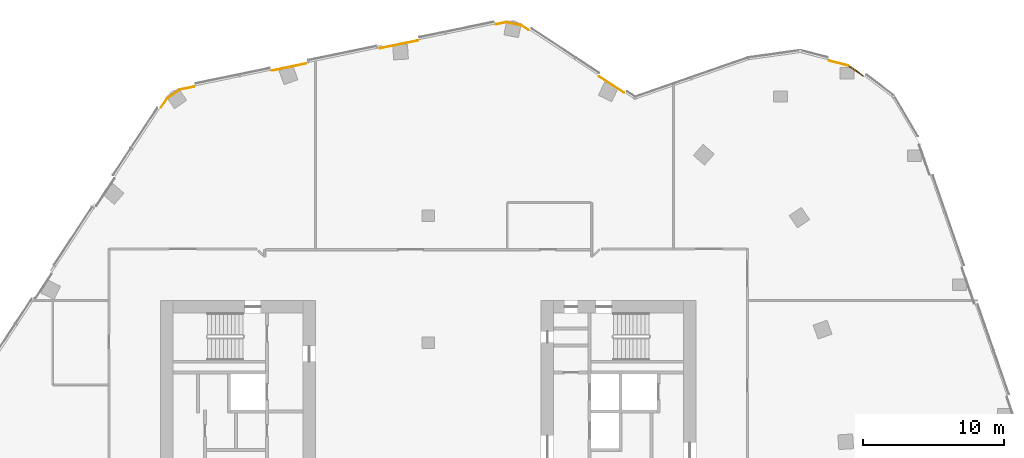
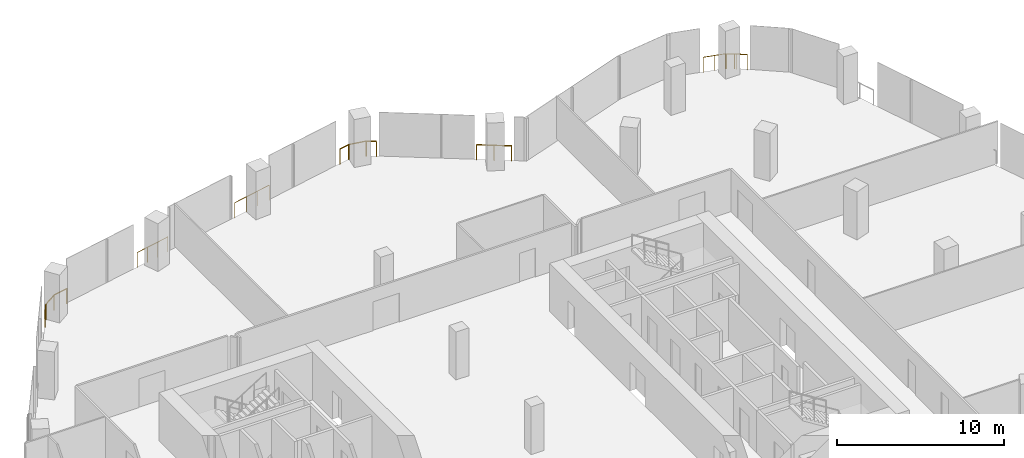
# One storey, part 26 of 26: 7 railings.
"""IFC4 building model written with IfcOpenShell, lengths in metres."""

from ifc_helpers import new_model, si_unit, direction, frame, origin, origin_2d, place, context, subcontext, project, spatial, circle, extrude, material, type_object, element, save


model = new_model("IFC4")

# Units and contexts
model_context = context("Model", 3, precision=1e-05, world=origin(), true_north=direction((0.0, 1.0)))
body_context = subcontext(model_context, "Body", "Model", "MODEL_VIEW")
ifc_project = project(units=[si_unit("LENGTHUNIT", "METRE"), si_unit("AREAUNIT", "SQUARE_METRE"), si_unit("VOLUMEUNIT", "CUBIC_METRE"), si_unit("PLANEANGLEUNIT", "RADIAN"), si_unit("MASSUNIT", "GRAM", prefix="KILO")], contexts=[model_context])

# Site, building, storey
site_placement = place(None, origin())
site = spatial("IfcSite", under=ifc_project, at=site_placement, CompositionType="ELEMENT")
building_placement = place(site_placement, origin())
building = spatial("IfcBuilding", under=site, at=building_placement, Name="Orlundy Tower", CompositionType="ELEMENT")
storey_placement = place(building_placement, frame((0.0, 0.0, 232.0)))
storey = spatial("IfcBuildingStorey", under=building, at=storey_placement, Name="L61", CompositionType="ELEMENT", Elevation=232.0)

# Railings
ifc_material = material(Name="Stainless steel bronze finish", Category="steel")
railing_type = type_object("IfcRailingType", Name="TG1 terrace guard", PredefinedType="GUARDRAIL", material=ifc_material)
railing_1_placement = place(storey_placement, frame((-18.9755859375, 25.669677734375, 0.0)))
element("IfcRailing", 1, at=railing_1_placement, inside=storey, type_object=railing_type, Name="Guard TG-L61-E00", PredefinedType="GUARDRAIL", context=body_context, shape_type="SweptSolid", body=[
    extrude(circle(Radius=0.02490234375, at=origin_2d()), frame((0.0, 0.0, 1.09521484375), z_axis=(0.549554055404, 0.835458161843, 0.0), x_axis=(-0.835458161843, 0.549554055404, 0.0)), (0.0, 0.0, 1.0), 0.789794921875),
    extrude(circle(Radius=0.02490234375, at=origin_2d()), frame((0.43408203125, 0.659912109375, 1.09521484375), z_axis=(0.827523210647, 0.561431505921, 0.0), x_axis=(-0.561431505921, 0.827523210647, 0.0)), (0.0, 0.0, 1.0), 1.110107421875),
    extrude(circle(Radius=0.02490234375, at=origin_2d()), frame((1.352783203125, 1.283203125, 1.09521484375), z_axis=(0.979380857155, 0.202022614174, 0.0), x_axis=(-0.202022614174, 0.979380857155, 0.0)), (0.0, 0.0, 1.0), 1.02490234375),
    extrude(circle(Radius=0.02001953125, at=origin_2d()), origin(), (0.0, 0.0, 1.0), 1.070068359375),
    extrude(circle(Radius=0.02001953125, at=origin_2d()), frame((0.43408203125, 0.659912109375, 0.0)), (0.0, 0.0, 1.0), 1.070068359375),
    extrude(circle(Radius=0.02001953125, at=origin_2d()), frame((1.352783203125, 1.283203125, 0.0)), (0.0, 0.0, 1.0), 1.070068359375),
    extrude(circle(Radius=0.02001953125, at=origin_2d()), frame((2.3564453125, 1.490234375, 0.0)), (0.0, 0.0, 1.0), 1.070068359375),
])
railing_2_placement = place(storey_placement, frame((-3.4287109375, 29.8837890625, 0.0)))
element("IfcRailing", 2, at=railing_2_placement, inside=storey, type_object=railing_type, Name="Guard TG-L61-E04", PredefinedType="GUARDRAIL", context=body_context, shape_type="SweptSolid", body=[
    extrude(circle(Radius=0.02490234375, at=origin_2d()), frame((0.0, 0.0, 1.09521484375), z_axis=(0.979334900063, 0.202245280583, 0.0), x_axis=(-0.202245280583, 0.979334900063, 0.0)), (0.0, 0.0, 1.0), 2.755859375),
    extrude(circle(Radius=0.02001953125, at=origin_2d()), origin(), (0.0, 0.0, 1.0), 1.070068359375),
    extrude(circle(Radius=0.02001953125, at=origin_2d()), frame((0.899658203125, 0.185791015625, 0.0)), (0.0, 0.0, 1.0), 1.070068359375),
    extrude(circle(Radius=0.02001953125, at=origin_2d()), frame((1.79931640625, 0.37158203125, 0.0)), (0.0, 0.0, 1.0), 1.070068359375),
    extrude(circle(Radius=0.02001953125, at=origin_2d()), frame((2.698974609375, 0.557373046875, 0.0)), (0.0, 0.0, 1.0), 1.070068359375),
])
railing_3_placement = place(storey_placement, frame((29.7705078125, 28.65771484375, 0.0)))
element("IfcRailing", 3, at=railing_3_placement, inside=storey, type_object=railing_type, Name="Guard TG-L61-E06", PredefinedType="GUARDRAIL", context=body_context, shape_type="SweptSolid", body=[
    extrude(circle(Radius=0.02490234375, at=origin_2d()), frame((0.0, 0.0, 1.09521484375), z_axis=(0.872190044291, -0.489167176576, 0.0), x_axis=(0.489167176576, 0.872190044291, 0.0)), (0.0, 0.0, 1.0), 0.54052734375),
    extrude(circle(Radius=0.02490234375, at=origin_2d()), frame((0.471435546875, -0.264404296875, 1.09521484375), z_axis=(0.797771735552, -0.602959582355, 0.0), x_axis=(0.602959582355, 0.797771735552, 0.0)), (0.0, 0.0, 1.0), 0.764404296875),
    extrude(circle(Radius=0.02490234375, at=origin_2d()), frame((1.081298828125, -0.725341796875, 1.09521484375), z_axis=(-0.83047445497, 0.557056711334, 0.0), x_axis=(-0.557056711334, -0.83047445497, 0.0)), (0.0, 0.0, 1.0), 1.241943359375),
    extrude(circle(Radius=0.02001953125, at=origin_2d()), origin(), (0.0, 0.0, 1.0), 1.070068359375),
    extrude(circle(Radius=0.02001953125, at=origin_2d()), frame((0.471435546875, -0.264404296875, 0.0)), (0.0, 0.0, 1.0), 1.070068359375),
    extrude(circle(Radius=0.02001953125, at=origin_2d()), frame((1.081298828125, -0.725341796875, 0.0)), (0.0, 0.0, 1.0), 1.070068359375),
    extrude(circle(Radius=0.02001953125, at=origin_2d()), frame((0.5654296875, -0.37939453125, 0.0)), (0.0, 0.0, 1.0), 1.070068359375),
    extrude(circle(Radius=0.02001953125, at=origin_2d()), frame((0.0498046875, -0.033447265625, 0.0)), (0.0, 0.0, 1.0), 1.070068359375),
])
railing_4_placement = place(storey_placement, frame((-11.07861328125, 28.30419921875, 0.0)))
element("IfcRailing", 4, at=railing_4_placement, inside=storey, type_object=railing_type, Name="Guard TG-L61-E010", PredefinedType="GUARDRAIL", context=body_context, shape_type="SweptSolid", body=[
    extrude(circle(Radius=0.02490234375, at=origin_2d()), frame((0.0, 0.0, 1.09521484375), z_axis=(0.97933426029, 0.202248378542, 0.0), x_axis=(-0.202248378542, 0.97933426029, 0.0)), (0.0, 0.0, 1.0), 2.44091796875),
    extrude(circle(Radius=0.02001953125, at=origin_2d()), origin(), (0.0, 0.0, 1.0), 1.070068359375),
    extrude(circle(Radius=0.02001953125, at=origin_2d()), frame((0.796875, 0.16455078125, 0.0)), (0.0, 0.0, 1.0), 1.070068359375),
    extrude(circle(Radius=0.02001953125, at=origin_2d()), frame((1.593505859375, 0.3291015625, 0.0)), (0.0, 0.0, 1.0), 1.070068359375),
    extrude(circle(Radius=0.02001953125, at=origin_2d()), frame((2.390380859375, 0.49365234375, 0.0)), (0.0, 0.0, 1.0), 1.070068359375),
])
railing_5_placement = place(storey_placement, frame((4.811767578125, 31.58544921875, 0.0)))
element("IfcRailing", 5, at=railing_5_placement, inside=storey, type_object=railing_type, Name="Guard TG-L61-E012", PredefinedType="GUARDRAIL", context=body_context, shape_type="SweptSolid", body=[
    extrude(circle(Radius=0.02490234375, at=origin_2d()), frame((0.0, 0.0, 1.09521484375), z_axis=(0.979316881793, 0.202332511066, 0.0), x_axis=(-0.202332511066, 0.979316881793, 0.0)), (0.0, 0.0, 1.0), 0.70947265625),
    extrude(circle(Radius=0.02490234375, at=origin_2d()), frame((0.69482421875, 0.1435546875, 1.09521484375), z_axis=(0.982155191892, -0.188072270788, 0.0), x_axis=(0.188072270788, 0.982155191892, 0.0)), (0.0, 0.0, 1.0), 1.10986328125),
    extrude(circle(Radius=0.02490234375, at=origin_2d()), frame((1.784912109375, -0.065185546875, 1.09521484375), z_axis=(0.835641828348, -0.549274735187, 0.0), x_axis=(0.549274735187, 0.835641828348, 0.0)), (0.0, 0.0, 1.0), 0.603515625),
    extrude(circle(Radius=0.02001953125, at=origin_2d()), origin(), (0.0, 0.0, 1.0), 1.070068359375),
    extrude(circle(Radius=0.02001953125, at=origin_2d()), frame((0.69482421875, 0.1435546875, 0.0)), (0.0, 0.0, 1.0), 1.070068359375),
    extrude(circle(Radius=0.02001953125, at=origin_2d()), frame((1.784912109375, -0.065185546875, 0.0)), (0.0, 0.0, 1.0), 1.070068359375),
    extrude(circle(Radius=0.02001953125, at=origin_2d()), frame((2.289306640625, -0.396728515625, 0.0)), (0.0, 0.0, 1.0), 1.070068359375),
])
railing_6_placement = place(storey_placement, frame((12.12158203125, 27.886962890625, 0.0)))
element("IfcRailing", 6, at=railing_6_placement, inside=storey, type_object=railing_type, Name="Guard TG-L61-E016", PredefinedType="GUARDRAIL", context=body_context, shape_type="SweptSolid", body=[
    extrude(circle(Radius=0.02490234375, at=origin_2d()), frame((0.0, 0.0, 1.09521484375), z_axis=(0.835511394976, -0.549473119329, 0.0), x_axis=(0.549473119329, 0.835511394976, 0.0)), (0.0, 0.0, 1.0), 2.095458984375),
    extrude(circle(Radius=0.02001953125, at=origin_2d()), origin(), (0.0, 0.0, 1.0), 1.070068359375),
    extrude(circle(Radius=0.02001953125, at=origin_2d()), frame((0.87548828125, -0.57568359375, 0.0)), (0.0, 0.0, 1.0), 1.070068359375),
    extrude(circle(Radius=0.02001953125, at=origin_2d()), frame((1.750732421875, -1.1513671875, 0.0)), (0.0, 0.0, 1.0), 1.070068359375),
])
railing_7_placement = place(storey_placement, frame((28.423095703125, 29.008544921875, 0.0)))
element("IfcRailing", 7, at=railing_7_placement, inside=storey, type_object=railing_type, Name="Guard TG-L61-E018", PredefinedType="GUARDRAIL", context=body_context, shape_type="SweptSolid", body=[
    extrude(circle(Radius=0.02490234375, at=origin_2d()), frame((0.0, 0.0, 1.09521484375), z_axis=(0.967734479019, -0.251972177269, 0.0), x_axis=(0.251972177269, 0.967734479019, 0.0)), (0.0, 0.0, 1.0), 1.392333984375),
    extrude(circle(Radius=0.02001953125, at=origin_2d()), origin(), (0.0, 0.0, 1.0), 1.070068359375),
    extrude(circle(Radius=0.02001953125, at=origin_2d()), frame((0.673828125, -0.17529296875, 0.0)), (0.0, 0.0, 1.0), 1.070068359375),
    extrude(circle(Radius=0.02001953125, at=origin_2d()), frame((1.347412109375, -0.350830078125, 0.0)), (0.0, 0.0, 1.0), 1.070068359375),
])

save(model, "model.ifc")
